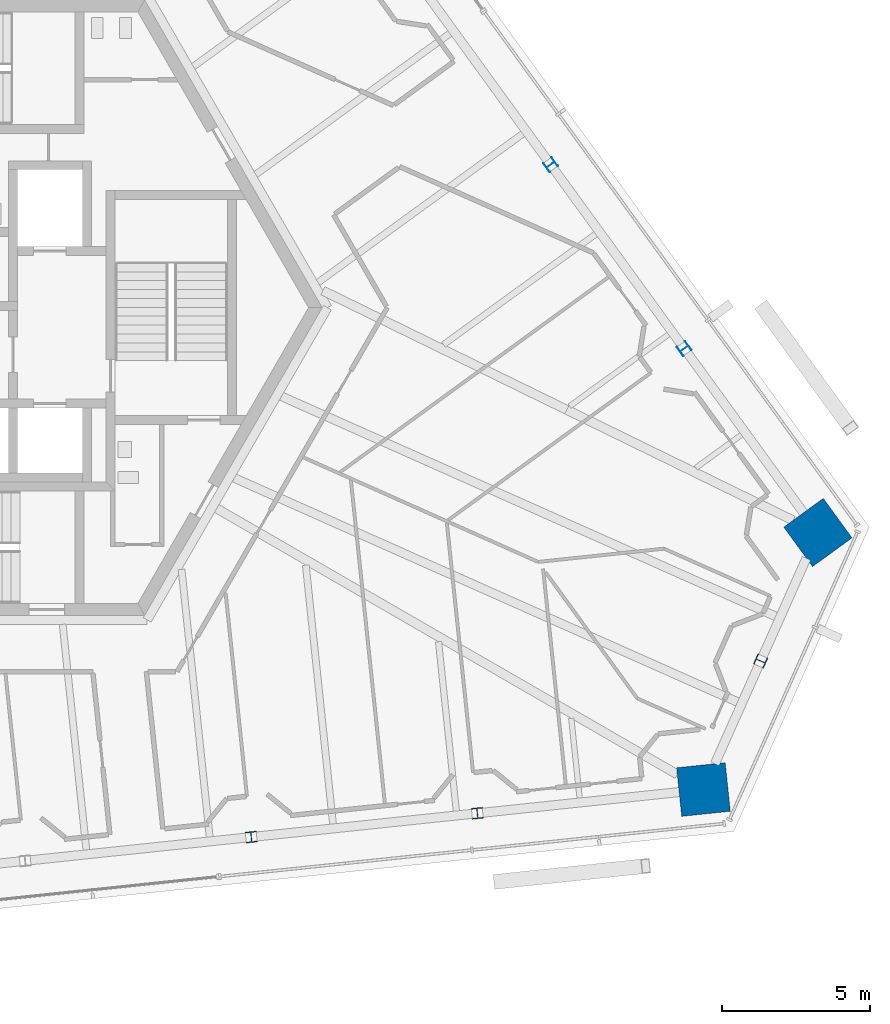
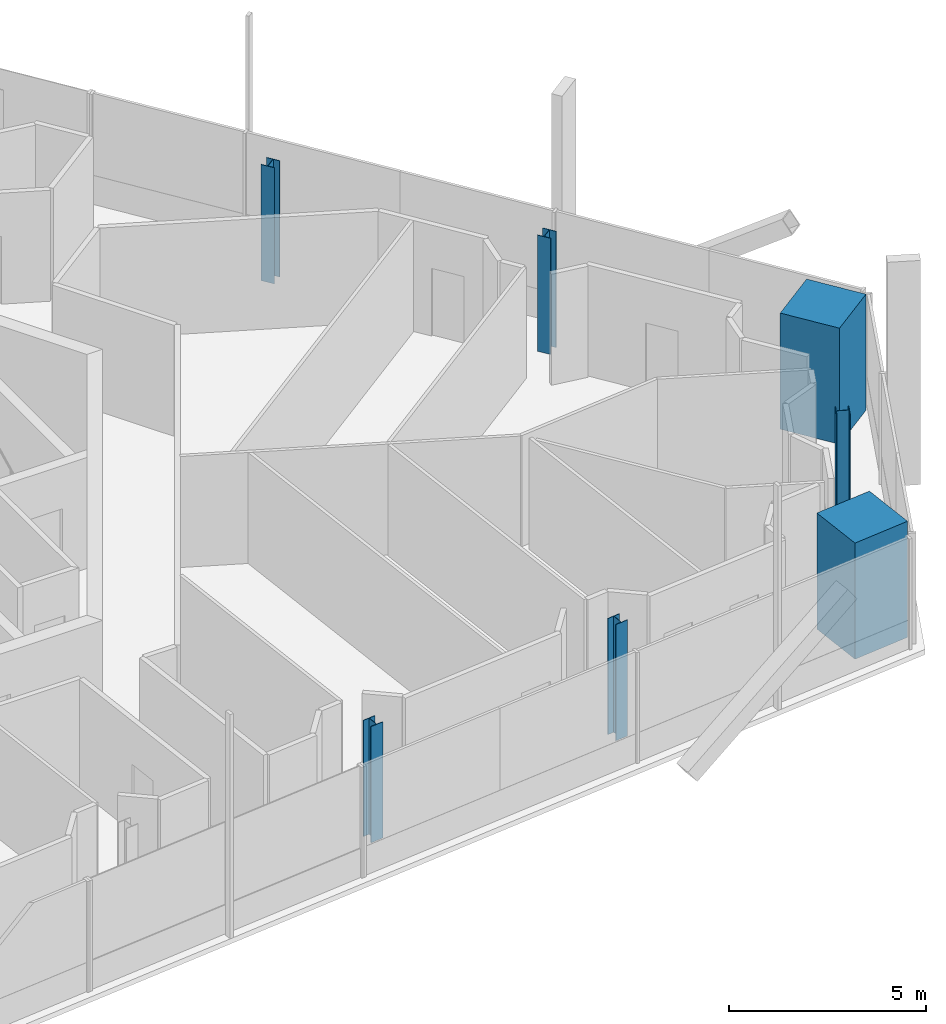
# One storey, part 2 of 21: 7 columns.
"""IFC4 building model written with IfcOpenShell, lengths in metres."""

from ifc_helpers import new_model, si_unit, direction, frame, origin, origin_2d, place, context, subcontext, project, spatial, rectangle, i_section, extrude, source, transform, mapped, material, material_profile, profile_set, type_object, element, save


model = new_model("IFC4")

# Units and contexts
model_context = context("Model", 3, precision=1e-05, world=origin(), true_north=direction((0.0, 1.0)))
body_context = subcontext(model_context, "Body", "Model", "MODEL_VIEW")
ifc_project = project(units=[si_unit("LENGTHUNIT", "METRE"), si_unit("AREAUNIT", "SQUARE_METRE"), si_unit("VOLUMEUNIT", "CUBIC_METRE"), si_unit("PLANEANGLEUNIT", "RADIAN"), si_unit("MASSUNIT", "GRAM", prefix="KILO")], contexts=[model_context])

# Site, building, storey
site_placement = place(None, origin())
site = spatial("IfcSite", under=ifc_project, at=site_placement, CompositionType="ELEMENT")
building_placement = place(site_placement, origin())
building = spatial("IfcBuilding", under=site, at=building_placement, Name="Triune Harvest Tower", CompositionType="ELEMENT")
storey_placement = place(building_placement, frame((0.0, 0.0, 248.5)))
storey = spatial("IfcBuildingStorey", under=building, at=storey_placement, Name="L65", CompositionType="ELEMENT", Elevation=248.5)

# Columns
ifc_material_1 = material(Name="Steel ASTM A992 Gr 50", Category="steel")
ifc_material_profile_1 = material_profile(ifc_material_1, i_section(OverallWidth=0.368408203125, OverallDepth=0.355712890625, WebThickness=0.01123046875, FlangeThickness=0.01806640625, at=origin_2d()), Name="W14x90")
ifc_profile_set_1 = profile_set([ifc_material_profile_1], Name="Steel ASTM A992 Gr 50")
column_type_1 = type_object("IfcColumnType", Name="PC-6 Perimeter column W14x90", PredefinedType="COLUMN", material=ifc_profile_set_1)
shared_shape_1 = source(origin(), body_context, "Body", "SweptSolid", [
    extrude(i_section(OverallWidth=0.368408203125, OverallDepth=0.355712890625, WebThickness=0.01123046875, FlangeThickness=0.01806640625, at=origin_2d()), origin(), (0.0, 0.0, 1.0), 3.60009765625),
])
for number, where, z_axis, x_axis, name in (
    (1, (24.2275390625, -1.38232421875, 0.0), (0.0, 0.0, 1.0), (-0.587785252292, 0.809016994375, 0.0), "col/L65/P1"),
    (2, (19.713623046875, 4.83056640625, 0.0), (0.0, 0.0, 1.0), (-0.587785252292, 0.809016994375, 0.0), "col/L65/P2"),
    (3, (9.601318359375, -17.88232421875, 0.0), (0.0, 0.0, 1.0), (0.99452171293, 0.104530199036, 0.0), "col/L65/P20"),
    (4, (17.238525390625, -17.07958984375, 0.0), (0.0, 0.0, 1.0), (0.99452171293, 0.104530199036, 0.0), "col/L65/P21"),
    (5, (26.80859375, -11.93603515625, 0.0), (0.0, 0.0, 1.0), (0.406741426383, 0.913543327962, 0.0), "col/L65/P23"),
):
    element("IfcColumn", number, at=place(storey_placement, frame(where, z_axis=z_axis, x_axis=x_axis)), inside=storey, type_object=column_type_1, Name=name, PredefinedType="COLUMN", context=body_context, shape_type="MappedRepresentation", body=[
        mapped(shared_shape_1, transform((0.0, 0.0, 0.0), scale=1.0)),
    ])
ifc_material_2 = material(Name="Concrete 70 MPa", Category="concrete")
ifc_material_profile_2 = material_profile(ifc_material_2, rectangle(XDim=1.64990234375, YDim=1.64990234375, at=origin_2d()), Name="Composite 1650x1650")
ifc_profile_set_2 = profile_set([ifc_material_profile_2], Name="Concrete 70 MPa")
column_type_2 = type_object("IfcColumnType", Name="MC-6 Mega column Composite 1650x1650", PredefinedType="COLUMN", material=ifc_profile_set_2)
shared_shape_2 = source(origin(), body_context, "Body", "SweptSolid", [
    extrude(rectangle(XDim=1.64990234375, YDim=1.64990234375, at=origin_2d()), origin(), (0.0, 0.0, 1.0), 3.60009765625),
])
for number, where, z_axis, x_axis, name in (
    (6, (28.741455078125, -7.59521484375, 0.0), (0.0, 0.0, 1.0), (-0.587785252292, 0.809016994375, 0.0), "col/L65/M0"),
    (7, (24.8759765625, -16.27685546875, 0.0), (0.0, 0.0, 1.0), (0.99452171293, 0.104530199036, 0.0), "col/L65/M22"),
):
    element("IfcColumn", number, at=place(storey_placement, frame(where, z_axis=z_axis, x_axis=x_axis)), inside=storey, type_object=column_type_2, Name=name, PredefinedType="COLUMN", context=body_context, shape_type="MappedRepresentation", body=[
        mapped(shared_shape_2, transform((0.0, 0.0, 0.0), scale=1.0)),
    ])

save(model, "model.ifc")
